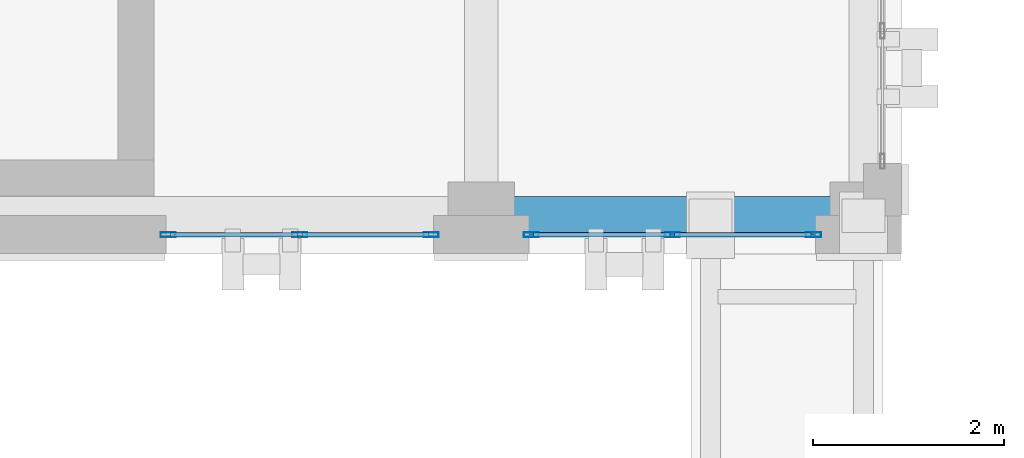
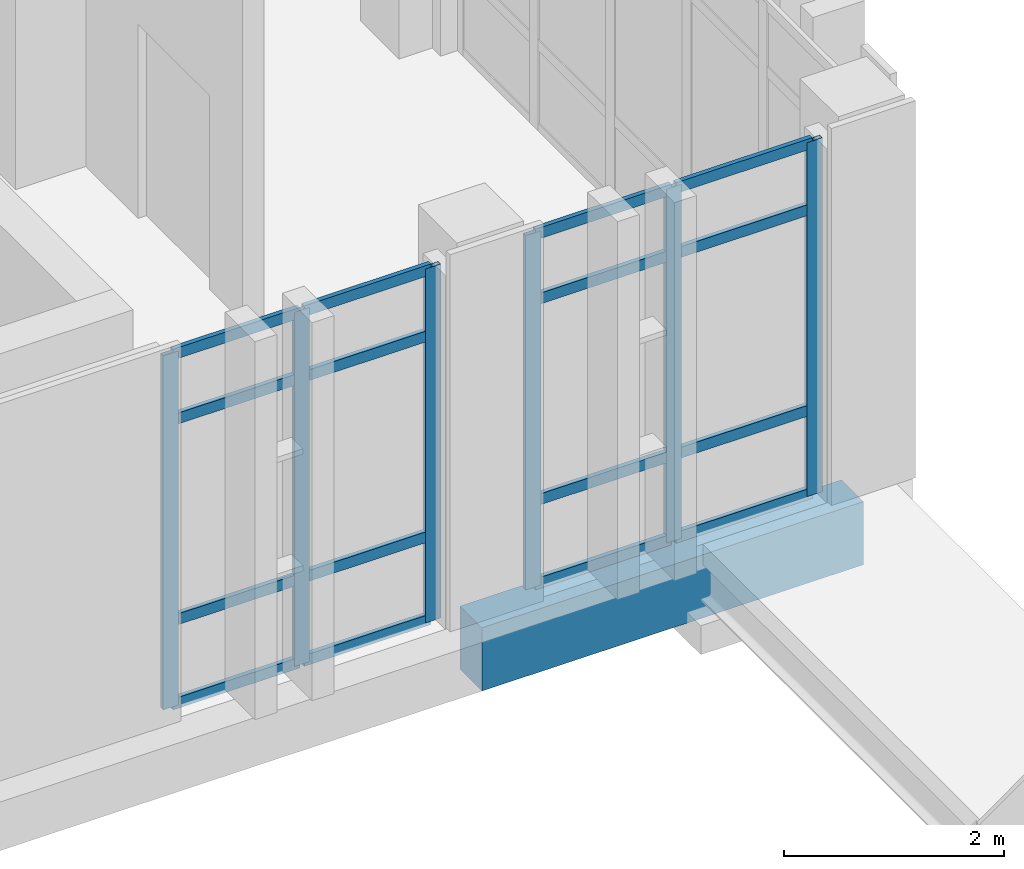
# One storey, part 29 of 158: 22 members, 1 beam, 2 elements without a shape of their own.
"""IFC4 building model written with IfcOpenShell, lengths in metres."""

from ifc_helpers import new_model, si_unit, direction, frame, origin, origin_2d, place, context, subcontext, project, spatial, rectangle, hollow_rectangle, extrude, material, layer, layer_set, material_profile, profile_set, type_object, element, aggregate, save


model = new_model("IFC4")

# Units and contexts
model_context = context("Model", 3, precision=1e-05, world=origin(), true_north=direction((0.0, 1.0)))
body_context = subcontext(model_context, "Body", "Model", "MODEL_VIEW")
ifc_project = project(units=[si_unit("LENGTHUNIT", "METRE"), si_unit("AREAUNIT", "SQUARE_METRE"), si_unit("VOLUMEUNIT", "CUBIC_METRE"), si_unit("PLANEANGLEUNIT", "RADIAN"), si_unit("MASSUNIT", "GRAM", prefix="KILO")], contexts=[model_context])

# Site, building, storey
site_placement = place(None, origin())
site = spatial("IfcSite", under=ifc_project, at=site_placement, CompositionType="ELEMENT")
building_placement = place(site_placement, origin())
building = spatial("IfcBuilding", under=site, at=building_placement, Name="Qalavern Law Courts", CompositionType="ELEMENT")
storey_placement = place(building_placement, frame((0.0, 0.0, 18.60009765625)))
storey = spatial("IfcBuildingStorey", under=building, at=storey_placement, Name="L04", CompositionType="ELEMENT", Elevation=18.60009765625)

# Curtain wall, members
ifc_material_1 = material(Name="Anodised aluminium and insulated glazing", Category="aluminium")
ifc_layer = layer(ifc_material_1, 0.159912109375)
ifc_layer_set = layer_set([ifc_layer], Name="Anodised aluminium and insulated glazing")
curtain_wall_type = type_object("IfcCurtainWallType", Name="ENV-CW-CHAMB", PredefinedType="USERDEFINED", material=ifc_layer_set)
curtain_wall_1_placement = place(storey_placement, origin())
curtain_wall_1 = element("IfcCurtainWall", 1, at=curtain_wall_1_placement, inside=storey, type_object=curtain_wall_type, Name="V3 unitised curtain wall L04 south 1", ObjectType="UNITISED CURTAIN WALL", PredefinedType="USERDEFINED")
ifc_material_2 = material(Name="Anodised aluminium", Category="aluminium")
ifc_material_profile_1 = material_profile(ifc_material_2, hollow_rectangle(XDim=0.048095703125, YDim=0.159912109375, WallThickness=0.00390625, at=origin_2d()), Name="ALU MULLION 48x160")
ifc_profile_set_1 = profile_set([ifc_material_profile_1], Name="Anodised aluminium")
member_type_1 = type_object("IfcMemberType", Name="ENV-CWM-48x160", PredefinedType="MULLION", material=ifc_profile_set_1)
member_1_placement = place(storey_placement, frame((11.1240234375, 41.219970703125, 0.0), z_axis=(0.0, 0.0, 1.0), x_axis=(0.0, 1.0, 0.0)))
member_1 = element("IfcMember", 2, at=member_1_placement, type_object=member_type_1, Name="CW-04 mullion 1", PredefinedType="MULLION", context=body_context, shape_type="SweptSolid", body=[
    extrude(hollow_rectangle(XDim=0.048095703125, YDim=0.159912109375, WallThickness=0.00390625, at=origin_2d()), origin(), (0.0, 0.0, 1.0), 3.9248046875),
])
member_2_placement = place(storey_placement, frame((12.5, 41.219970703125, 0.0), z_axis=(0.0, 0.0, 1.0), x_axis=(0.0, 1.0, 0.0)))
member_2 = element("IfcMember", 3, at=member_2_placement, type_object=member_type_1, Name="CW-04 mullion 2", PredefinedType="MULLION", context=body_context, shape_type="SweptSolid", body=[
    extrude(hollow_rectangle(XDim=0.048095703125, YDim=0.159912109375, WallThickness=0.00390625, at=origin_2d()), origin(), (0.0, 0.0, 1.0), 3.9248046875),
])
member_3_placement = place(storey_placement, frame((13.8759765625, 41.219970703125, 0.0), z_axis=(0.0, 0.0, 1.0), x_axis=(0.0, 1.0, 0.0)))
member_3 = element("IfcMember", 4, at=member_3_placement, type_object=member_type_1, Name="CW-04 mullion 3", PredefinedType="MULLION", context=body_context, shape_type="SweptSolid", body=[
    extrude(hollow_rectangle(XDim=0.048095703125, YDim=0.159912109375, WallThickness=0.00390625, at=origin_2d()), origin(), (0.0, 0.0, 1.0), 3.9248046875),
])

curtain_wall_2_placement = place(storey_placement, origin())
curtain_wall_2 = element("IfcCurtainWall", 5, at=curtain_wall_2_placement, inside=storey, type_object=curtain_wall_type, Name="V3 unitised curtain wall L04 south 2", ObjectType="UNITISED CURTAIN WALL", PredefinedType="USERDEFINED")
member_4_placement = place(storey_placement, frame((14.924072265625, 41.219970703125, 0.0), z_axis=(0.0, 0.0, 1.0), x_axis=(0.0, 1.0, 0.0)))
member_4 = element("IfcMember", 6, at=member_4_placement, type_object=member_type_1, Name="CW-04 mullion 1", PredefinedType="MULLION", context=body_context, shape_type="SweptSolid", body=[
    extrude(hollow_rectangle(XDim=0.048095703125, YDim=0.159912109375, WallThickness=0.00390625, at=origin_2d()), origin(), (0.0, 0.0, 1.0), 3.9248046875),
])
member_5_placement = place(storey_placement, frame((16.39990234375, 41.219970703125, 0.0), z_axis=(0.0, 0.0, 1.0), x_axis=(0.0, 1.0, 0.0)))
member_5 = element("IfcMember", 7, at=member_5_placement, type_object=member_type_1, Name="CW-04 mullion 2", PredefinedType="MULLION", context=body_context, shape_type="SweptSolid", body=[
    extrude(hollow_rectangle(XDim=0.048095703125, YDim=0.159912109375, WallThickness=0.00390625, at=origin_2d()), origin(), (0.0, 0.0, 1.0), 3.9248046875),
])
member_6_placement = place(storey_placement, frame((17.8759765625, 41.219970703125, 0.0), z_axis=(0.0, 0.0, 1.0), x_axis=(0.0, 1.0, 0.0)))
member_6 = element("IfcMember", 8, at=member_6_placement, type_object=member_type_1, Name="CW-04 mullion 3", PredefinedType="MULLION", context=body_context, shape_type="SweptSolid", body=[
    extrude(hollow_rectangle(XDim=0.048095703125, YDim=0.159912109375, WallThickness=0.00390625, at=origin_2d()), origin(), (0.0, 0.0, 1.0), 3.9248046875),
])

# Member
ifc_material_profile_2 = material_profile(ifc_material_2, hollow_rectangle(XDim=0.048095703125, YDim=0.1201171875, WallThickness=0.00390625, at=origin_2d()), Name="ALU TRANSOM 48x120")
ifc_profile_set_2 = profile_set([ifc_material_profile_2], Name="Anodised aluminium")
member_type_2 = type_object("IfcMemberType", Name="ENV-CWT-48x120", PredefinedType="USERDEFINED", material=ifc_profile_set_2)
member_7_placement = place(storey_placement, frame((11.14794921875, 41.219970703125, 0.02392578125), z_axis=(1.0, 0.0, 0.0), x_axis=(0.0, 1.0, 0.0)))
member_7 = element("IfcMember", 9, at=member_7_placement, type_object=member_type_2, Name="CW-04 transom 1.1", ObjectType="TRANSOM", PredefinedType="USERDEFINED", context=body_context, shape_type="SweptSolid", body=[
    extrude(hollow_rectangle(XDim=0.048095703125, YDim=0.1201171875, WallThickness=0.00390625, at=origin_2d()), origin(), (0.0, 0.0, 1.0), 1.328125),
])

member_8_placement = place(storey_placement, frame((11.14794921875, 41.219970703125, 0.949951171875), z_axis=(1.0, 0.0, 0.0), x_axis=(0.0, 1.0, 0.0)))
member_8 = element("IfcMember", 10, at=member_8_placement, type_object=member_type_2, Name="CW-04 transom 1.2", ObjectType="TRANSOM", PredefinedType="USERDEFINED", context=body_context, shape_type="SweptSolid", body=[
    extrude(hollow_rectangle(XDim=0.048095703125, YDim=0.1201171875, WallThickness=0.00390625, at=origin_2d()), origin(), (0.0, 0.0, 1.0), 1.328125),
])

member_9_placement = place(storey_placement, frame((11.14794921875, 41.219970703125, 3.1748046875), z_axis=(1.0, 0.0, 0.0), x_axis=(0.0, 1.0, 0.0)))
member_9 = element("IfcMember", 11, at=member_9_placement, type_object=member_type_2, Name="CW-04 transom 1.3", ObjectType="TRANSOM", PredefinedType="USERDEFINED", context=body_context, shape_type="SweptSolid", body=[
    extrude(hollow_rectangle(XDim=0.048095703125, YDim=0.1201171875, WallThickness=0.00390625, at=origin_2d()), origin(), (0.0, 0.0, 1.0), 1.328125),
])

member_10_placement = place(storey_placement, frame((11.14794921875, 41.219970703125, 3.90087890625), z_axis=(1.0, 0.0, 0.0), x_axis=(0.0, 1.0, 0.0)))
member_10 = element("IfcMember", 12, at=member_10_placement, type_object=member_type_2, Name="CW-04 transom 1.4", ObjectType="TRANSOM", PredefinedType="USERDEFINED", context=body_context, shape_type="SweptSolid", body=[
    extrude(hollow_rectangle(XDim=0.048095703125, YDim=0.1201171875, WallThickness=0.00390625, at=origin_2d()), origin(), (0.0, 0.0, 1.0), 1.328125),
])

member_11_placement = place(storey_placement, frame((12.52392578125, 41.219970703125, 0.02392578125), z_axis=(1.0, 0.0, 0.0), x_axis=(0.0, 1.0, 0.0)))
member_11 = element("IfcMember", 13, at=member_11_placement, type_object=member_type_2, Name="CW-04 transom 2.1", ObjectType="TRANSOM", PredefinedType="USERDEFINED", context=body_context, shape_type="SweptSolid", body=[
    extrude(hollow_rectangle(XDim=0.048095703125, YDim=0.1201171875, WallThickness=0.00390625, at=origin_2d()), origin(), (0.0, 0.0, 1.0), 1.328125),
])

member_12_placement = place(storey_placement, frame((12.52392578125, 41.219970703125, 0.949951171875), z_axis=(1.0, 0.0, 0.0), x_axis=(0.0, 1.0, 0.0)))
member_12 = element("IfcMember", 14, at=member_12_placement, type_object=member_type_2, Name="CW-04 transom 2.2", ObjectType="TRANSOM", PredefinedType="USERDEFINED", context=body_context, shape_type="SweptSolid", body=[
    extrude(hollow_rectangle(XDim=0.048095703125, YDim=0.1201171875, WallThickness=0.00390625, at=origin_2d()), origin(), (0.0, 0.0, 1.0), 1.328125),
])

member_13_placement = place(storey_placement, frame((12.52392578125, 41.219970703125, 3.1748046875), z_axis=(1.0, 0.0, 0.0), x_axis=(0.0, 1.0, 0.0)))
member_13 = element("IfcMember", 15, at=member_13_placement, type_object=member_type_2, Name="CW-04 transom 2.3", ObjectType="TRANSOM", PredefinedType="USERDEFINED", context=body_context, shape_type="SweptSolid", body=[
    extrude(hollow_rectangle(XDim=0.048095703125, YDim=0.1201171875, WallThickness=0.00390625, at=origin_2d()), origin(), (0.0, 0.0, 1.0), 1.328125),
])

member_14_placement = place(storey_placement, frame((12.52392578125, 41.219970703125, 3.90087890625), z_axis=(1.0, 0.0, 0.0), x_axis=(0.0, 1.0, 0.0)))
member_14 = element("IfcMember", 16, at=member_14_placement, type_object=member_type_2, Name="CW-04 transom 2.4", ObjectType="TRANSOM", PredefinedType="USERDEFINED", context=body_context, shape_type="SweptSolid", body=[
    extrude(hollow_rectangle(XDim=0.048095703125, YDim=0.1201171875, WallThickness=0.00390625, at=origin_2d()), origin(), (0.0, 0.0, 1.0), 1.328125),
])

aggregate(curtain_wall_1, [member_1, member_2, member_3, member_7, member_8, member_9, member_10, member_11, member_12, member_13, member_14])

member_15_placement = place(storey_placement, frame((14.947998046875, 41.219970703125, 0.02392578125), z_axis=(1.0, 0.0, 0.0), x_axis=(0.0, 1.0, 0.0)))
member_15 = element("IfcMember", 17, at=member_15_placement, type_object=member_type_2, Name="CW-04 transom 1.1", ObjectType="TRANSOM", PredefinedType="USERDEFINED", context=body_context, shape_type="SweptSolid", body=[
    extrude(hollow_rectangle(XDim=0.048095703125, YDim=0.1201171875, WallThickness=0.00390625, at=origin_2d()), origin(), (0.0, 0.0, 1.0), 1.427978515625),
])

member_16_placement = place(storey_placement, frame((14.947998046875, 41.219970703125, 0.949951171875), z_axis=(1.0, 0.0, 0.0), x_axis=(0.0, 1.0, 0.0)))
member_16 = element("IfcMember", 18, at=member_16_placement, type_object=member_type_2, Name="CW-04 transom 1.2", ObjectType="TRANSOM", PredefinedType="USERDEFINED", context=body_context, shape_type="SweptSolid", body=[
    extrude(hollow_rectangle(XDim=0.048095703125, YDim=0.1201171875, WallThickness=0.00390625, at=origin_2d()), origin(), (0.0, 0.0, 1.0), 1.427978515625),
])

member_17_placement = place(storey_placement, frame((14.947998046875, 41.219970703125, 3.1748046875), z_axis=(1.0, 0.0, 0.0), x_axis=(0.0, 1.0, 0.0)))
member_17 = element("IfcMember", 19, at=member_17_placement, type_object=member_type_2, Name="CW-04 transom 1.3", ObjectType="TRANSOM", PredefinedType="USERDEFINED", context=body_context, shape_type="SweptSolid", body=[
    extrude(hollow_rectangle(XDim=0.048095703125, YDim=0.1201171875, WallThickness=0.00390625, at=origin_2d()), origin(), (0.0, 0.0, 1.0), 1.427978515625),
])

member_18_placement = place(storey_placement, frame((14.947998046875, 41.219970703125, 3.90087890625), z_axis=(1.0, 0.0, 0.0), x_axis=(0.0, 1.0, 0.0)))
member_18 = element("IfcMember", 20, at=member_18_placement, type_object=member_type_2, Name="CW-04 transom 1.4", ObjectType="TRANSOM", PredefinedType="USERDEFINED", context=body_context, shape_type="SweptSolid", body=[
    extrude(hollow_rectangle(XDim=0.048095703125, YDim=0.1201171875, WallThickness=0.00390625, at=origin_2d()), origin(), (0.0, 0.0, 1.0), 1.427978515625),
])

member_19_placement = place(storey_placement, frame((16.424072265625, 41.219970703125, 0.02392578125), z_axis=(1.0, 0.0, 0.0), x_axis=(0.0, 1.0, 0.0)))
member_19 = element("IfcMember", 21, at=member_19_placement, type_object=member_type_2, Name="CW-04 transom 2.1", ObjectType="TRANSOM", PredefinedType="USERDEFINED", context=body_context, shape_type="SweptSolid", body=[
    extrude(hollow_rectangle(XDim=0.048095703125, YDim=0.1201171875, WallThickness=0.00390625, at=origin_2d()), origin(), (0.0, 0.0, 1.0), 1.427978515625),
])

member_20_placement = place(storey_placement, frame((16.424072265625, 41.219970703125, 0.949951171875), z_axis=(1.0, 0.0, 0.0), x_axis=(0.0, 1.0, 0.0)))
member_20 = element("IfcMember", 22, at=member_20_placement, type_object=member_type_2, Name="CW-04 transom 2.2", ObjectType="TRANSOM", PredefinedType="USERDEFINED", context=body_context, shape_type="SweptSolid", body=[
    extrude(hollow_rectangle(XDim=0.048095703125, YDim=0.1201171875, WallThickness=0.00390625, at=origin_2d()), origin(), (0.0, 0.0, 1.0), 1.427978515625),
])

member_21_placement = place(storey_placement, frame((16.424072265625, 41.219970703125, 3.1748046875), z_axis=(1.0, 0.0, 0.0), x_axis=(0.0, 1.0, 0.0)))
member_21 = element("IfcMember", 23, at=member_21_placement, type_object=member_type_2, Name="CW-04 transom 2.3", ObjectType="TRANSOM", PredefinedType="USERDEFINED", context=body_context, shape_type="SweptSolid", body=[
    extrude(hollow_rectangle(XDim=0.048095703125, YDim=0.1201171875, WallThickness=0.00390625, at=origin_2d()), origin(), (0.0, 0.0, 1.0), 1.427978515625),
])

member_22_placement = place(storey_placement, frame((16.424072265625, 41.219970703125, 3.90087890625), z_axis=(1.0, 0.0, 0.0), x_axis=(0.0, 1.0, 0.0)))
member_22 = element("IfcMember", 24, at=member_22_placement, type_object=member_type_2, Name="CW-04 transom 2.4", ObjectType="TRANSOM", PredefinedType="USERDEFINED", context=body_context, shape_type="SweptSolid", body=[
    extrude(hollow_rectangle(XDim=0.048095703125, YDim=0.1201171875, WallThickness=0.00390625, at=origin_2d()), origin(), (0.0, 0.0, 1.0), 1.427978515625),
])

aggregate(curtain_wall_2, [member_4, member_5, member_6, member_15, member_16, member_17, member_18, member_19, member_20, member_21, member_22])

# Beam
ifc_material_3 = material(Name="Concrete C40/50", Category="concrete")
ifc_material_profile_3 = material_profile(ifc_material_3, rectangle(XDim=0.39990234375, YDim=0.699951171875, at=origin_2d()), Name="RC 400x700")
ifc_profile_set_3 = profile_set([ifc_material_profile_3], Name="Concrete C40/50")
beam_type = type_object("IfcBeamType", Name="STR-SP-RC400x700", PredefinedType="SPANDREL", material=ifc_profile_set_3)
beam_placement = place(storey_placement, frame((14.39990234375, 41.419921875, -0.630126953125), z_axis=(1.0, 0.0, 0.0), x_axis=(0.0, 1.0, 0.0)))
element("IfcBeam", 25, at=beam_placement, inside=storey, type_object=beam_type, Name="V3 X-beam 1-2 L04", PredefinedType="SPANDREL", context=body_context, shape_type="SweptSolid", body=[
    extrude(rectangle(XDim=0.39990234375, YDim=0.699951171875, at=origin_2d()), origin(), (0.0, 0.0, 1.0), 4.0),
])

save(model, "model.ifc")
